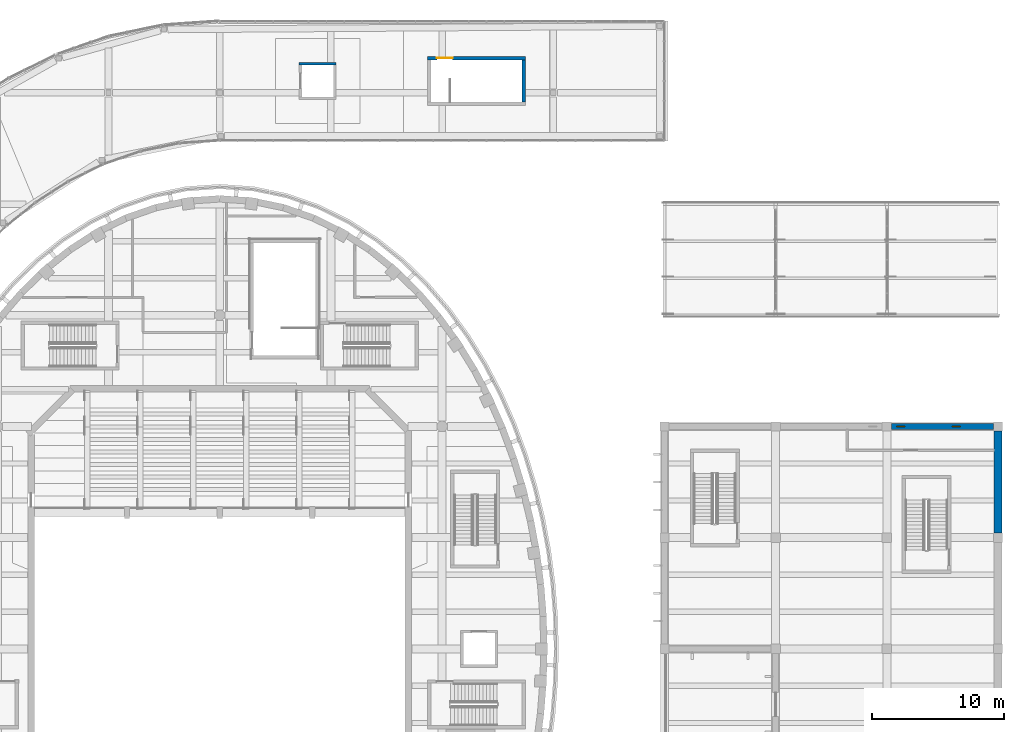
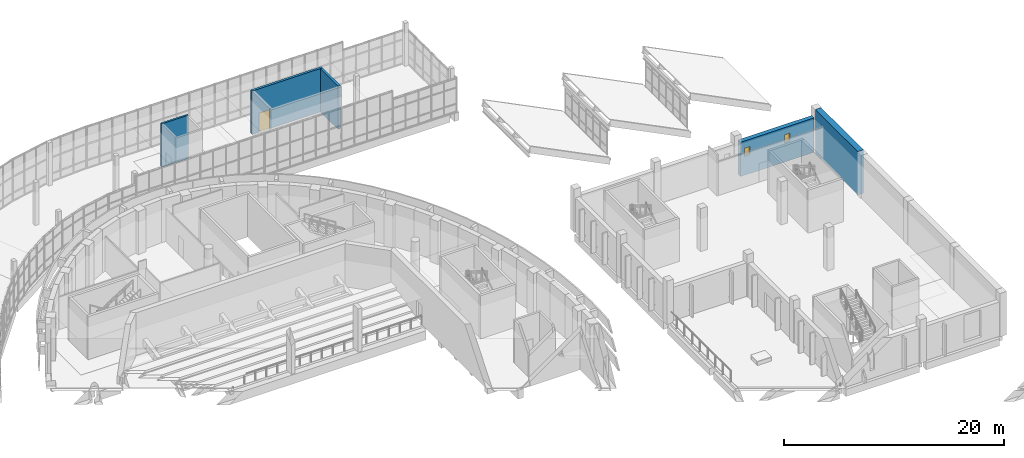
# One storey, part 63 of 103: 5 walls, 2 windows, 1 door, 3 openings.
"""IFC4 building model written with IfcOpenShell, lengths in metres."""

from ifc_helpers import new_model, si_unit, direction, frame, frame_2d, origin, place, context, subcontext, project, spatial, rectangle, extrude, material, layer, layer_set, type_object, element, fill, save


model = new_model("IFC4")

# Units and contexts
model_context = context("Model", 3, precision=1e-05, world=origin(), true_north=direction((0.0, 1.0)))
body_context = subcontext(model_context, "Body", "Model", "MODEL_VIEW")
ifc_project = project(units=[si_unit("LENGTHUNIT", "METRE"), si_unit("AREAUNIT", "SQUARE_METRE"), si_unit("VOLUMEUNIT", "CUBIC_METRE"), si_unit("PLANEANGLEUNIT", "RADIAN"), si_unit("MASSUNIT", "GRAM", prefix="KILO")], contexts=[model_context])

# Site, building, storey
site_placement = place(None, origin())
site = spatial("IfcSite", under=ifc_project, at=site_placement, CompositionType="ELEMENT")
building_placement = place(site_placement, origin())
building = spatial("IfcBuilding", under=site, at=building_placement, Name="Larchfold Concert Hall", CompositionType="ELEMENT")
storey_placement = place(building_placement, frame((0.0, 0.0, 9.60009765625)))
storey = spatial("IfcBuildingStorey", under=building, at=storey_placement, Name="L02", CompositionType="ELEMENT", Elevation=9.60009765625)

# Wall, openings, windows
ifc_material_1 = material(Name="Charred larch cladding on mineral wool and CLT", Category="wood")
ifc_layer_1 = layer(ifc_material_1, 0.449951171875)
ifc_layer_set_1 = layer_set([ifc_layer_1], Name="Charred larch cladding on mineral wool and CLT")
wall_type_1 = type_object("IfcWallType", Name="Charred larch infill wall 450", PredefinedType="SOLIDWALL", material=ifc_layer_set_1)
wall_1_placement = place(storey_placement, frame((101.0498046875, 101.39990234375, 0.0), z_axis=(0.0, 0.0, 1.0), x_axis=(-1.0, 0.0, 0.0)))
wall_1 = element("IfcWall", 1, at=wall_1_placement, inside=storey, type_object=wall_type_1, Name="Infill wall W5096", PredefinedType="SOLIDWALL", context=body_context, shape_type="SweptSolid", body=[
    extrude(rectangle(XDim=7.69970703125, YDim=0.449951171875, at=frame_2d((3.849853515625, 0.0))), origin(), (0.0, 0.0, 1.0), 3.800048828125),
])
opening_1_placement = place(wall_1_placement, frame((6.69970703125, 0.0, 2.10009765625)))
opening_1 = element("IfcOpeningElement", 2, at=opening_1_placement, cuts=wall_1, Name="Opening WN-L02-062", PredefinedType="OPENING", context=body_context, shape_type="SweptSolid", body=[
    extrude(rectangle(XDim=0.60009765625, YDim=0.89990234375, at=frame_2d((0.300048828125, 0.449951171875))), frame((0.0, 0.23486328125, 0.0), z_axis=(0.0, -1.0, 0.0), x_axis=(1.0, 0.0, 0.0)), (0.0, 0.0, 1.0), 0.469970703125),
])
opening_2_placement = place(wall_1_placement, frame((2.499755859375, 0.0, 2.10009765625)))
opening_2 = element("IfcOpeningElement", 3, at=opening_2_placement, cuts=wall_1, Name="Opening WN-L02-063", PredefinedType="OPENING", context=body_context, shape_type="SweptSolid", body=[
    extrude(rectangle(XDim=0.60009765625, YDim=0.89990234375, at=frame_2d((0.300048828125, 0.449951171875))), frame((0.0, 0.23486328125, 0.0), z_axis=(0.0, -1.0, 0.0), x_axis=(1.0, 0.0, 0.0)), (0.0, 0.0, 1.0), 0.469970703125),
])
ifc_material_2 = material(Name="Anodised graphite aluminium frame with glass", Category="aluminium")
window_type = type_object("IfcWindowType", Name="Store high window 600x900", PartitioningType="SINGLE_PANEL", PredefinedType="WINDOW", material=ifc_material_2)
window_1_placement = place(opening_1_placement, origin())
window_1 = element("IfcWindow", 4, at=window_1_placement, inside=storey, type_object=window_type, Name="Window WN-L02-062", OverallHeight=0.89990234375, OverallWidth=0.60009765625, PartitioningType="SINGLE_PANEL", PredefinedType="WINDOW", context=body_context, shape_type="SweptSolid", body=[
    extrude(rectangle(XDim=0.60009765625, YDim=0.89990234375, at=frame_2d((0.300048828125, 0.449951171875))), frame((0.0, 0.034912109375, 0.0), z_axis=(0.0, -1.0, 0.0), x_axis=(1.0, 0.0, 0.0)), (0.0, 0.0, 1.0), 0.06005859375),
])
fill(opening_1, window_1)
window_2_placement = place(opening_2_placement, origin())
window_2 = element("IfcWindow", 5, at=window_2_placement, inside=storey, type_object=window_type, Name="Window WN-L02-063", OverallHeight=0.89990234375, OverallWidth=0.60009765625, PartitioningType="SINGLE_PANEL", PredefinedType="WINDOW", context=body_context, shape_type="SweptSolid", body=[
    extrude(rectangle(XDim=0.60009765625, YDim=0.89990234375, at=frame_2d((0.300048828125, 0.449951171875))), frame((0.0, 0.034912109375, 0.0), z_axis=(0.0, -1.0, 0.0), x_axis=(1.0, 0.0, 0.0)), (0.0, 0.0, 1.0), 0.06005859375),
])
fill(opening_2, window_2)

# Wall
ifc_material_3 = material(Name="Concrete C40/50", Category="concrete")
ifc_layer_2 = layer(ifc_material_3, 0.199951171875)
ifc_layer_set_2 = layer_set([ifc_layer_2], Name="Concrete C40/50")
wall_type_2 = type_object("IfcWallType", Name="Wall RC 200 lift shaft", PredefinedType="SOLIDWALL", material=ifc_layer_set_2)
wall_2_placement = place(storey_placement, frame((48.60009765625, 128.7998046875, 0.0), z_axis=(0.0, 0.0, 1.0), x_axis=(1.0, 0.0, 0.0)))
element("IfcWall", 6, at=wall_2_placement, inside=storey, type_object=wall_type_2, Name="Wall W0176", PredefinedType="SOLIDWALL", context=body_context, shape_type="SweptSolid", body=[
    extrude(rectangle(XDim=2.7998046875, YDim=0.199951171875, at=frame_2d((1.39990234375, 0.0))), origin(), (0.0, 0.0, 1.0), 4.7998046875),
])

# Wall, opening, door
ifc_material_4 = material(Name="Concrete C40/50", Category="concrete")
ifc_layer_3 = layer(ifc_material_4, 0.25)
ifc_layer_set_3 = layer_set([ifc_layer_3], Name="Concrete C40/50")
wall_type_3 = type_object("IfcWallType", Name="Wall RC 250 stair core", PredefinedType="SOLIDWALL", material=ifc_layer_set_3)
wall_3_placement = place(storey_placement, frame((58.300048828125, 129.22509765625, 0.0), z_axis=(0.0, 0.0, 1.0), x_axis=(1.0, 0.0, 0.0)))
wall_3 = element("IfcWall", 7, at=wall_3_placement, inside=storey, type_object=wall_type_3, Name="Wall W0124", PredefinedType="SOLIDWALL", context=body_context, shape_type="SweptSolid", body=[
    extrude(rectangle(XDim=7.39990234375, YDim=0.25, at=frame_2d((3.699951171875, 0.0))), origin(), (0.0, 0.0, 1.0), 4.7998046875),
])
opening_3_placement = place(wall_3_placement, frame((0.7001953125, 0.0, 0.0)))
opening_3 = element("IfcOpeningElement", 8, at=opening_3_placement, cuts=wall_3, Name="Opening D-L02-160", PredefinedType="OPENING", context=body_context, shape_type="SweptSolid", body=[
    extrude(rectangle(XDim=1.199951171875, YDim=2.10009765625, at=frame_2d((0.60009765625, 1.050048828125))), frame((0.0, 0.135009765625, 0.0), z_axis=(0.0, -1.0, 0.0), x_axis=(1.0, 0.0, 0.0)), (0.0, 0.0, 1.0), 0.27001953125),
])
ifc_material_5 = material(Name="Timber door leaf", Category="wood")
door_type = type_object("IfcDoorType", Name="Stair enclosure door pair 1200 x 2100 FD60", OperationType="SINGLE_SWING_LEFT", PredefinedType="DOOR", material=ifc_material_5)
door_placement = place(opening_3_placement, origin())
door = element("IfcDoor", 9, at=door_placement, inside=storey, type_object=door_type, Name="Door D-L02-160", OperationType="DOUBLE_DOOR_SINGLE_SWING", OverallHeight=2.10009765625, OverallWidth=1.199951171875, PredefinedType="DOOR", context=body_context, shape_type="SweptSolid", body=[
    extrude(rectangle(XDim=1.199951171875, YDim=2.10009765625, at=frame_2d((0.60009765625, 1.050048828125))), frame((0.0, 0.02490234375, 0.0), z_axis=(0.0, -1.0, 0.0), x_axis=(1.0, 0.0, 0.0)), (0.0, 0.0, 1.0), 0.050048828125),
])
fill(opening_3, door)

# Walls
wall_4_placement = place(storey_placement, frame((65.574951171875, 125.89990234375, 0.0), z_axis=(0.0, 0.0, 1.0), x_axis=(0.0, 1.0, 0.0)))
element("IfcWall", 10, at=wall_4_placement, inside=storey, type_object=wall_type_3, Name="Wall W0126", PredefinedType="SOLIDWALL", context=body_context, shape_type="SweptSolid", body=[
    extrude(rectangle(XDim=3.2001953125, YDim=0.25, at=frame_2d((1.60009765625, 0.0))), origin(), (0.0, 0.0, 1.0), 4.7998046875),
])
ifc_material_6 = material(Name="Concrete C40/50", Category="concrete")
ifc_layer_4 = layer(ifc_material_6, 0.60009765625)
ifc_layer_set_4 = layer_set([ifc_layer_4], Name="Concrete C40/50")
wall_type_4 = type_object("IfcWallType", Name="Wall RC 600 party wall", PredefinedType="SOLIDWALL", material=ifc_layer_set_4)
wall_5_placement = place(storey_placement, frame((101.39990234375, 93.35009765625, 0.0), z_axis=(0.0, 0.0, 1.0), x_axis=(0.0, 1.0, 0.0)))
element("IfcWall", 11, at=wall_5_placement, inside=storey, type_object=wall_type_4, Name="Wall W0030", PredefinedType="SOLIDWALL", context=body_context, shape_type="SweptSolid", body=[
    extrude(rectangle(XDim=7.699951171875, YDim=0.60009765625, at=frame_2d((3.85009765625, 0.0))), origin(), (0.0, 0.0, 1.0), 4.7998046875),
])

save(model, "model.ifc")
